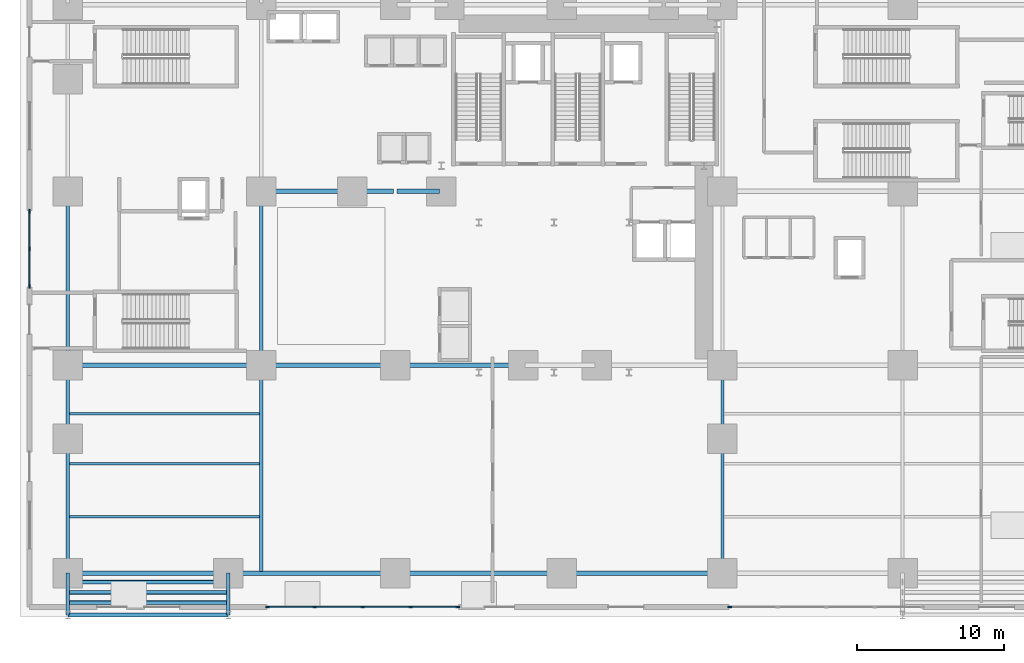
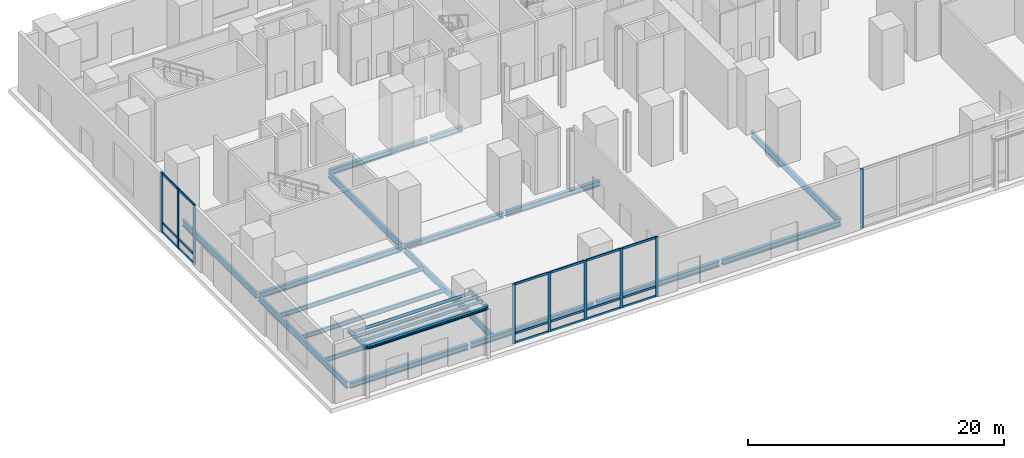
# One storey, part 5 of 25: 30 members, 20 beams, 3 elements without a shape of their own.
"""IFC4 building model written with IfcOpenShell, lengths in metres."""

from ifc_helpers import new_model, si_unit, direction, frame, origin, origin_2d, place, context, subcontext, project, spatial, rectangle, hollow_circle, i_section, extrude, source, transform, mapped, material, material_profile, profile_set, type_object, element, aggregate, save


model = new_model("IFC4")

# Units and contexts
model_context = context("Model", 3, precision=1e-05, world=origin(), true_north=direction((0.0, 1.0)))
body_context = subcontext(model_context, "Body", "Model", "MODEL_VIEW")
ifc_project = project(units=[si_unit("LENGTHUNIT", "METRE"), si_unit("AREAUNIT", "SQUARE_METRE"), si_unit("VOLUMEUNIT", "CUBIC_METRE"), si_unit("PLANEANGLEUNIT", "RADIAN"), si_unit("MASSUNIT", "GRAM", prefix="KILO")], contexts=[model_context])

# Site, building, storey
site_placement = place(None, origin())
site = spatial("IfcSite", under=ifc_project, at=site_placement, CompositionType="ELEMENT")
building_placement = place(site_placement, origin())
building = spatial("IfcBuilding", under=site, at=building_placement, Name="Vardaveli Station Tower", CompositionType="ELEMENT")
storey_placement = place(building_placement, origin())
storey = spatial("IfcBuildingStorey", under=building, at=storey_placement, Name="L01", CompositionType="ELEMENT", Elevation=0.0)

# Beams
ifc_material_1 = material(Name="Structural steel S355J2", Category="steel")
ifc_material_profile_1 = material_profile(ifc_material_1, i_section(OverallWidth=0.305908203125, OverallDepth=0.52392578125, WebThickness=0.02099609375, FlangeThickness=0.0400390625, FilletRadius=0.027099609375, at=origin_2d()), Name="HEM 500")
ifc_profile_set_1 = profile_set([ifc_material_profile_1], Name="Structural steel S355J2")
beam_type_1 = type_object("IfcBeamType", Name="BM-HEM500", PredefinedType="BEAM", material=ifc_profile_set_1)
shared_shape_1 = source(origin(), body_context, "Body", "SweptSolid", [
    extrude(i_section(OverallWidth=0.305908203125, OverallDepth=0.52392578125, WebThickness=0.02099609375, FlangeThickness=0.0400390625, FilletRadius=0.027099609375, at=origin_2d()), origin(), (0.0, 0.0, 1.0), 10.669921875),
])
for number, where, z_axis, x_axis, name in (
    (1, (3.3701171875, 2.949951171875, -0.662109375), (1.0, 0.0, 0.0), (0.0, 1.0, 0.0), "PBM-L01-EW0-0"),
    (2, (36.9599609375, 2.949951171875, -0.662109375), (1.0, 0.0, 0.0), (0.0, 1.0, 0.0), "PBM-L01-EW0-3"),
):
    element("IfcBeam", number, at=place(storey_placement, frame(where, z_axis=z_axis, x_axis=x_axis)), inside=storey, type_object=beam_type_1, Name=name, PredefinedType="BEAM", context=body_context, shape_type="MappedRepresentation", body=[
        mapped(shared_shape_1, transform((0.0, 0.0, 0.0), scale=1.0)),
    ])
shared_shape_2 = source(origin(), body_context, "Body", "SweptSolid", [
    extrude(i_section(OverallWidth=0.305908203125, OverallDepth=0.52392578125, WebThickness=0.02099609375, FlangeThickness=0.0400390625, FilletRadius=0.027099609375, at=origin_2d()), origin(), (0.0, 0.0, 1.0), 11.099853515625),
])
for number, where, z_axis, x_axis, name in (
    (3, (14.280029296875, 2.949951171875, -0.662109375), (1.0, 0.0, 0.0), (0.0, 1.0, 0.0), "PBM-L01-EW0-1"),
    (4, (25.6201171875, 2.949951171875, -0.662109375), (1.0, 0.0, 0.0), (0.0, 1.0, 0.0), "PBM-L01-EW0-2"),
):
    element("IfcBeam", number, at=place(storey_placement, frame(where, z_axis=z_axis, x_axis=x_axis)), inside=storey, type_object=beam_type_1, Name=name, PredefinedType="BEAM", context=body_context, shape_type="MappedRepresentation", body=[
        mapped(shared_shape_2, transform((0.0, 0.0, 0.0), scale=1.0)),
    ])
shared_shape_3 = source(origin(), body_context, "Body", "SweptSolid", [
    extrude(i_section(OverallWidth=0.305908203125, OverallDepth=0.52392578125, WebThickness=0.02099609375, FlangeThickness=0.0400390625, FilletRadius=0.027099609375, at=origin_2d()), origin(), (0.0, 0.0, 1.0), 12.909912109375),
])
beam_1_placement = place(storey_placement, frame((3.3701171875, 17.10009765625, -0.662109375), z_axis=(1.0, 0.0, 0.0), x_axis=(0.0, 1.0, 0.0)))
element("IfcBeam", 5, at=beam_1_placement, inside=storey, type_object=beam_type_1, Name="PBM-L01-EW1-0", PredefinedType="BEAM", context=body_context, shape_type="MappedRepresentation", body=[
    mapped(shared_shape_3, transform((0.0, 0.0, 0.0), scale=1.0)),
])
shared_shape_4 = source(origin(), body_context, "Body", "SweptSolid", [
    extrude(i_section(OverallWidth=0.305908203125, OverallDepth=0.52392578125, WebThickness=0.02099609375, FlangeThickness=0.0400390625, FilletRadius=0.027099609375, at=origin_2d()), origin(), (0.0, 0.0, 1.0), 8.85986328125),
])
for number, where, z_axis, x_axis, name in (
    (6, (16.52001953125, 17.10009765625, -0.662109375), (1.0, 0.0, 0.0), (0.0, 1.0, 0.0), "PBM-L01-EW1-1"),
    (7, (16.52001953125, 28.89990234375, -0.662109375), (1.0, 0.0, 0.0), (0.0, 1.0, 0.0), "PBM-L01-EW2-1"),
):
    element("IfcBeam", number, at=place(storey_placement, frame(where, z_axis=z_axis, x_axis=x_axis)), inside=storey, type_object=beam_type_1, Name=name, PredefinedType="BEAM", context=body_context, shape_type="MappedRepresentation", body=[
        mapped(shared_shape_4, transform((0.0, 0.0, 0.0), scale=1.0)),
    ])
shared_shape_5 = source(origin(), body_context, "Body", "SweptSolid", [
    extrude(i_section(OverallWidth=0.305908203125, OverallDepth=0.52392578125, WebThickness=0.02099609375, FlangeThickness=0.0400390625, FilletRadius=0.027099609375, at=origin_2d()), origin(), (0.0, 0.0, 1.0), 8.4599609375),
])
beam_2_placement = place(storey_placement, frame((25.6201171875, 17.10009765625, -0.662109375), z_axis=(1.0, 0.0, 0.0), x_axis=(0.0, 1.0, 0.0)))
element("IfcBeam", 8, at=beam_2_placement, inside=storey, type_object=beam_type_1, Name="PBM-L01-EW1-2", PredefinedType="BEAM", context=body_context, shape_type="MappedRepresentation", body=[
    mapped(shared_shape_5, transform((0.0, 0.0, 0.0), scale=1.0)),
])
shared_shape_6 = source(origin(), body_context, "Body", "SweptSolid", [
    extrude(i_section(OverallWidth=0.305908203125, OverallDepth=0.52392578125, WebThickness=0.02099609375, FlangeThickness=0.0400390625, FilletRadius=0.027099609375, at=origin_2d()), origin(), (0.0, 0.0, 1.0), 2.909912109375),
])
beam_3_placement = place(storey_placement, frame((25.6201171875, 28.89990234375, -0.662109375), z_axis=(1.0, 0.0, 0.0), x_axis=(0.0, 1.0, 0.0)))
element("IfcBeam", 9, at=beam_3_placement, inside=storey, type_object=beam_type_1, Name="PBM-L01-EW2-2", PredefinedType="BEAM", context=body_context, shape_type="MappedRepresentation", body=[
    mapped(shared_shape_6, transform((0.0, 0.0, 0.0), scale=1.0)),
])
ifc_material_profile_2 = material_profile(ifc_material_1, i_section(OverallWidth=0.219970703125, OverallDepth=0.60009765625, WebThickness=0.011962890625, FlangeThickness=0.01904296875, FilletRadius=0.02392578125, at=origin_2d()), Name="IPE 600")
ifc_profile_set_2 = profile_set([ifc_material_profile_2], Name="Structural steel S355J2")
beam_type_2 = type_object("IfcBeamType", Name="BM-IPE600", PredefinedType="BEAM", material=ifc_profile_set_2)
shared_shape_7 = source(origin(), body_context, "Body", "SweptSolid", [
    extrude(i_section(OverallWidth=0.219970703125, OverallDepth=0.60009765625, WebThickness=0.011962890625, FlangeThickness=0.01904296875, FilletRadius=0.02392578125, at=origin_2d()), origin(), (0.0, 0.0, 1.0), 13.909912109375),
])
for number, where, z_axis, x_axis, name in (
    (10, (3.25, 3.070068359375, -0.699951171875), (0.0, 1.0, 0.0), (-1.0, 0.0, 0.0), "PBM-L01-NS0-0"),
    (11, (16.39990234375, 3.070068359375, -0.699951171875), (0.0, 1.0, 0.0), (-1.0, 0.0, 0.0), "PBM-L01-NS1-0"),
    (12, (47.75, 3.070068359375, -0.699951171875), (0.0, 1.0, 0.0), (-1.0, 0.0, 0.0), "PBM-L01-NS2-0"),
):
    element("IfcBeam", number, at=place(storey_placement, frame(where, z_axis=z_axis, x_axis=x_axis)), inside=storey, type_object=beam_type_2, Name=name, PredefinedType="BEAM", context=body_context, shape_type="MappedRepresentation", body=[
        mapped(shared_shape_7, transform((0.0, 0.0, 0.0), scale=1.0)),
    ])
shared_shape_8 = source(origin(), body_context, "Body", "SweptSolid", [
    extrude(i_section(OverallWidth=0.219970703125, OverallDepth=0.60009765625, WebThickness=0.011962890625, FlangeThickness=0.01904296875, FilletRadius=0.02392578125, at=origin_2d()), origin(), (0.0, 0.0, 1.0), 11.56005859375),
])
for number, where, z_axis, x_axis, name in (
    (13, (3.25, 17.219970703125, -0.699951171875), (0.0, 1.0, 0.0), (-1.0, 0.0, 0.0), "PBM-L01-NS0-1"),
    (14, (16.39990234375, 17.219970703125, -0.699951171875), (0.0, 1.0, 0.0), (-1.0, 0.0, 0.0), "PBM-L01-NS1-1"),
):
    element("IfcBeam", number, at=place(storey_placement, frame(where, z_axis=z_axis, x_axis=x_axis)), inside=storey, type_object=beam_type_2, Name=name, PredefinedType="BEAM", context=body_context, shape_type="MappedRepresentation", body=[
        mapped(shared_shape_8, transform((0.0, 0.0, 0.0), scale=1.0)),
    ])
ifc_material_profile_3 = material_profile(ifc_material_1, i_section(OverallWidth=0.179931640625, OverallDepth=0.39990234375, WebThickness=0.008544921875, FlangeThickness=0.013427734375, FilletRadius=0.02099609375, at=origin_2d()), Name="IPE 400")
ifc_profile_set_3 = profile_set([ifc_material_profile_3], Name="Structural steel S355J2")
beam_type_3 = type_object("IfcBeamType", Name="BM-IPE400", PredefinedType="JOIST", material=ifc_profile_set_3)
shared_shape_9 = source(origin(), body_context, "Body", "SweptSolid", [
    extrude(i_section(OverallWidth=0.179931640625, OverallDepth=0.39990234375, WebThickness=0.008544921875, FlangeThickness=0.013427734375, FilletRadius=0.02099609375, at=origin_2d()), origin(), (0.0, 0.0, 1.0), 12.926025390625),
])
for number, where, z_axis, x_axis, name in (
    (15, (3.362060546875, 6.800048828125, -0.60009765625), (1.0, 0.0, 0.0), (0.0, 1.0, 0.0), "PJ-L01-1-0"),
    (16, (3.362060546875, 10.39990234375, -0.60009765625), (1.0, 0.0, 0.0), (0.0, 1.0, 0.0), "PJ-L01-2-0"),
    (17, (3.362060546875, 13.800048828125, -0.60009765625), (1.0, 0.0, 0.0), (0.0, 1.0, 0.0), "PJ-L01-3-0"),
):
    element("IfcBeam", number, at=place(storey_placement, frame(where, z_axis=z_axis, x_axis=x_axis)), inside=storey, type_object=beam_type_3, Name=name, PredefinedType="JOIST", context=body_context, shape_type="MappedRepresentation", body=[
        mapped(shared_shape_9, transform((0.0, 0.0, 0.0), scale=1.0)),
    ])

# Curtain wall, members
ifc_material_2 = material(Name="Travertine stone and solar-control glass", Category="masonry")
curtain_wall_type = type_object("IfcCurtainWallType", Name="CW-SYS-1", PredefinedType="NOTDEFINED", material=ifc_material_2)
curtain_wall_1_placement = place(storey_placement, origin())
curtain_wall_1 = element("IfcCurtainWall", 18, at=curtain_wall_1_placement, inside=storey, type_object=curtain_wall_type, Name="CW-L01-S2", PredefinedType="NOTDEFINED")
ifc_material_3 = material(Name="Anodised aluminium alloy 6063-T6", Category="aluminium")
ifc_material_profile_4 = material_profile(ifc_material_3, rectangle(XDim=0.094970703125, YDim=0.27001953125, at=origin_2d()), Name="CWM 95x270")
ifc_profile_set_4 = profile_set([ifc_material_profile_4], Name="Anodised aluminium alloy 6063-T6")
member_type_1 = type_object("IfcMemberType", Name="CW-SYS-1-MULL", PredefinedType="MULLION", material=ifc_profile_set_4)
shared_shape_10 = source(origin(), body_context, "Body", "SweptSolid", [
    extrude(rectangle(XDim=0.094970703125, YDim=0.27001953125, at=origin_2d()), origin(), (0.0, 0.0, 1.0), 5.679931640625),
])
member_1_placement = place(storey_placement, frame((16.847412109375, 0.64990234375, 0.0), z_axis=(0.0, 0.0, 1.0), x_axis=(0.0, 1.0, 0.0)))
member_1 = element("IfcMember", 19, at=member_1_placement, type_object=member_type_1, Name="CW-1 mullion 1", PredefinedType="MULLION", context=body_context, shape_type="MappedRepresentation", body=[
    mapped(shared_shape_10, transform((0.0, 0.0, 0.0), scale=1.0)),
])
member_2_placement = place(storey_placement, frame((20.050048828125, 0.64990234375, 0.0), z_axis=(0.0, 0.0, 1.0), x_axis=(0.0, 1.0, 0.0)))
member_2 = element("IfcMember", 20, at=member_2_placement, type_object=member_type_1, Name="CW-1 mullion 2", PredefinedType="MULLION", context=body_context, shape_type="MappedRepresentation", body=[
    mapped(shared_shape_10, transform((0.0, 0.0, 0.0), scale=1.0)),
])
member_3_placement = place(storey_placement, frame((23.300048828125, 0.64990234375, 0.0), z_axis=(0.0, 0.0, 1.0), x_axis=(0.0, 1.0, 0.0)))
member_3 = element("IfcMember", 21, at=member_3_placement, type_object=member_type_1, Name="CW-1 mullion 3", PredefinedType="MULLION", context=body_context, shape_type="MappedRepresentation", body=[
    mapped(shared_shape_10, transform((0.0, 0.0, 0.0), scale=1.0)),
])
member_4_placement = place(storey_placement, frame((26.550048828125, 0.64990234375, 0.0), z_axis=(0.0, 0.0, 1.0), x_axis=(0.0, 1.0, 0.0)))
member_4 = element("IfcMember", 22, at=member_4_placement, type_object=member_type_1, Name="CW-1 mullion 4", PredefinedType="MULLION", context=body_context, shape_type="MappedRepresentation", body=[
    mapped(shared_shape_10, transform((0.0, 0.0, 0.0), scale=1.0)),
])
member_5_placement = place(storey_placement, frame((29.75244140625, 0.64990234375, 0.0), z_axis=(0.0, 0.0, 1.0), x_axis=(0.0, 1.0, 0.0)))
member_5 = element("IfcMember", 23, at=member_5_placement, type_object=member_type_1, Name="CW-1 mullion 5", PredefinedType="MULLION", context=body_context, shape_type="MappedRepresentation", body=[
    mapped(shared_shape_10, transform((0.0, 0.0, 0.0), scale=1.0)),
])

# Curtain wall, member
curtain_wall_2_placement = place(storey_placement, origin())
curtain_wall_2 = element("IfcCurtainWall", 24, at=curtain_wall_2_placement, inside=storey, type_object=curtain_wall_type, Name="CW-L01-S4", PredefinedType="NOTDEFINED")
member_6_placement = place(storey_placement, frame((48.24755859375, 0.64990234375, 0.0), z_axis=(0.0, 0.0, 1.0), x_axis=(0.0, 1.0, 0.0)))
member_6 = element("IfcMember", 25, at=member_6_placement, type_object=member_type_1, Name="CW-1 mullion 1", PredefinedType="MULLION", context=body_context, shape_type="MappedRepresentation", body=[
    mapped(shared_shape_10, transform((0.0, 0.0, 0.0), scale=1.0)),
])
aggregate(curtain_wall_2, [member_6])

# Curtain wall, members
curtain_wall_3_placement = place(storey_placement, origin())
curtain_wall_3 = element("IfcCurtainWall", 26, at=curtain_wall_3_placement, inside=storey, type_object=curtain_wall_type, Name="CW-L01-W3", PredefinedType="NOTDEFINED")
member_7_placement = place(storey_placement, frame((0.64990234375, 27.552490234375, 0.0), z_axis=(0.0, 0.0, 1.0), x_axis=(1.0, 0.0, 0.0)))
member_7 = element("IfcMember", 27, at=member_7_placement, type_object=member_type_1, Name="CW-1 mullion 1", PredefinedType="MULLION", context=body_context, shape_type="MappedRepresentation", body=[
    mapped(shared_shape_10, transform((0.0, 0.0, 0.0), scale=1.0)),
])
member_8_placement = place(storey_placement, frame((0.64990234375, 25.0, 0.0), z_axis=(0.0, 0.0, 1.0), x_axis=(1.0, 0.0, 0.0)))
member_8 = element("IfcMember", 28, at=member_8_placement, type_object=member_type_1, Name="CW-1 mullion 2", PredefinedType="MULLION", context=body_context, shape_type="MappedRepresentation", body=[
    mapped(shared_shape_10, transform((0.0, 0.0, 0.0), scale=1.0)),
])
member_9_placement = place(storey_placement, frame((0.64990234375, 22.447509765625, 0.0), z_axis=(0.0, 0.0, 1.0), x_axis=(1.0, 0.0, 0.0)))
member_9 = element("IfcMember", 29, at=member_9_placement, type_object=member_type_1, Name="CW-1 mullion 3", PredefinedType="MULLION", context=body_context, shape_type="MappedRepresentation", body=[
    mapped(shared_shape_10, transform((0.0, 0.0, 0.0), scale=1.0)),
])

# Member
ifc_material_profile_5 = material_profile(ifc_material_3, rectangle(XDim=0.094970703125, YDim=0.2099609375, at=origin_2d()), Name="CWT 95x210")
ifc_profile_set_5 = profile_set([ifc_material_profile_5], Name="Anodised aluminium alloy 6063-T6")
member_type_2 = type_object("IfcMemberType", Name="CW-SYS-1-TRAN", PredefinedType="NOTDEFINED", material=ifc_profile_set_5)
shared_shape_11 = source(origin(), body_context, "Body", "SweptSolid", [
    extrude(rectangle(XDim=0.094970703125, YDim=0.2099609375, at=origin_2d()), origin(), (0.0, 0.0, 1.0), 3.107421875),
])
member_10_placement = place(storey_placement, frame((16.89501953125, 0.64990234375, 0.047607421875), z_axis=(1.0, 0.0, 0.0), x_axis=(0.0, 1.0, 0.0)))
member_10 = element("IfcMember", 30, at=member_10_placement, type_object=member_type_2, Name="CW-1 transom 1.1", ObjectType="TRANSOM", PredefinedType="USERDEFINED", context=body_context, shape_type="MappedRepresentation", body=[
    mapped(shared_shape_11, transform((0.0, 0.0, 0.0), scale=1.0)),
])

member_11_placement = place(storey_placement, frame((16.89501953125, 0.64990234375, 0.949951171875), z_axis=(1.0, 0.0, 0.0), x_axis=(0.0, 1.0, 0.0)))
member_11 = element("IfcMember", 31, at=member_11_placement, type_object=member_type_2, Name="CW-1 transom 1.2", ObjectType="TRANSOM", PredefinedType="USERDEFINED", context=body_context, shape_type="MappedRepresentation", body=[
    mapped(shared_shape_11, transform((0.0, 0.0, 0.0), scale=1.0)),
])

member_12_placement = place(storey_placement, frame((16.89501953125, 0.64990234375, 5.632568359375), z_axis=(1.0, 0.0, 0.0), x_axis=(0.0, 1.0, 0.0)))
member_12 = element("IfcMember", 32, at=member_12_placement, type_object=member_type_2, Name="CW-1 transom 1.3", ObjectType="TRANSOM", PredefinedType="USERDEFINED", context=body_context, shape_type="MappedRepresentation", body=[
    mapped(shared_shape_11, transform((0.0, 0.0, 0.0), scale=1.0)),
])

shared_shape_12 = source(origin(), body_context, "Body", "SweptSolid", [
    extrude(rectangle(XDim=0.094970703125, YDim=0.2099609375, at=origin_2d()), origin(), (0.0, 0.0, 1.0), 3.155029296875),
])
member_13_placement = place(storey_placement, frame((20.097412109375, 0.64990234375, 0.047607421875), z_axis=(1.0, 0.0, 0.0), x_axis=(0.0, 1.0, 0.0)))
member_13 = element("IfcMember", 33, at=member_13_placement, type_object=member_type_2, Name="CW-1 transom 2.1", ObjectType="TRANSOM", PredefinedType="USERDEFINED", context=body_context, shape_type="MappedRepresentation", body=[
    mapped(shared_shape_12, transform((0.0, 0.0, 0.0), scale=1.0)),
])

member_14_placement = place(storey_placement, frame((20.097412109375, 0.64990234375, 0.949951171875), z_axis=(1.0, 0.0, 0.0), x_axis=(0.0, 1.0, 0.0)))
member_14 = element("IfcMember", 34, at=member_14_placement, type_object=member_type_2, Name="CW-1 transom 2.2", ObjectType="TRANSOM", PredefinedType="USERDEFINED", context=body_context, shape_type="MappedRepresentation", body=[
    mapped(shared_shape_12, transform((0.0, 0.0, 0.0), scale=1.0)),
])

member_15_placement = place(storey_placement, frame((20.097412109375, 0.64990234375, 5.632568359375), z_axis=(1.0, 0.0, 0.0), x_axis=(0.0, 1.0, 0.0)))
member_15 = element("IfcMember", 35, at=member_15_placement, type_object=member_type_2, Name="CW-1 transom 2.3", ObjectType="TRANSOM", PredefinedType="USERDEFINED", context=body_context, shape_type="MappedRepresentation", body=[
    mapped(shared_shape_12, transform((0.0, 0.0, 0.0), scale=1.0)),
])

member_16_placement = place(storey_placement, frame((23.347412109375, 0.64990234375, 0.047607421875), z_axis=(1.0, 0.0, 0.0), x_axis=(0.0, 1.0, 0.0)))
member_16 = element("IfcMember", 36, at=member_16_placement, type_object=member_type_2, Name="CW-1 transom 3.1", ObjectType="TRANSOM", PredefinedType="USERDEFINED", context=body_context, shape_type="MappedRepresentation", body=[
    mapped(shared_shape_12, transform((0.0, 0.0, 0.0), scale=1.0)),
])

member_17_placement = place(storey_placement, frame((23.347412109375, 0.64990234375, 0.949951171875), z_axis=(1.0, 0.0, 0.0), x_axis=(0.0, 1.0, 0.0)))
member_17 = element("IfcMember", 37, at=member_17_placement, type_object=member_type_2, Name="CW-1 transom 3.2", ObjectType="TRANSOM", PredefinedType="USERDEFINED", context=body_context, shape_type="MappedRepresentation", body=[
    mapped(shared_shape_12, transform((0.0, 0.0, 0.0), scale=1.0)),
])

member_18_placement = place(storey_placement, frame((23.347412109375, 0.64990234375, 5.632568359375), z_axis=(1.0, 0.0, 0.0), x_axis=(0.0, 1.0, 0.0)))
member_18 = element("IfcMember", 38, at=member_18_placement, type_object=member_type_2, Name="CW-1 transom 3.3", ObjectType="TRANSOM", PredefinedType="USERDEFINED", context=body_context, shape_type="MappedRepresentation", body=[
    mapped(shared_shape_12, transform((0.0, 0.0, 0.0), scale=1.0)),
])

shared_shape_13 = source(origin(), body_context, "Body", "SweptSolid", [
    extrude(rectangle(XDim=0.094970703125, YDim=0.2099609375, at=origin_2d()), origin(), (0.0, 0.0, 1.0), 3.107666015625),
])
member_19_placement = place(storey_placement, frame((26.597412109375, 0.64990234375, 0.047607421875), z_axis=(1.0, 0.0, 0.0), x_axis=(0.0, 1.0, 0.0)))
member_19 = element("IfcMember", 39, at=member_19_placement, type_object=member_type_2, Name="CW-1 transom 4.1", ObjectType="TRANSOM", PredefinedType="USERDEFINED", context=body_context, shape_type="MappedRepresentation", body=[
    mapped(shared_shape_13, transform((0.0, 0.0, 0.0), scale=1.0)),
])

member_20_placement = place(storey_placement, frame((26.597412109375, 0.64990234375, 0.949951171875), z_axis=(1.0, 0.0, 0.0), x_axis=(0.0, 1.0, 0.0)))
member_20 = element("IfcMember", 40, at=member_20_placement, type_object=member_type_2, Name="CW-1 transom 4.2", ObjectType="TRANSOM", PredefinedType="USERDEFINED", context=body_context, shape_type="MappedRepresentation", body=[
    mapped(shared_shape_13, transform((0.0, 0.0, 0.0), scale=1.0)),
])

member_21_placement = place(storey_placement, frame((26.597412109375, 0.64990234375, 5.632568359375), z_axis=(1.0, 0.0, 0.0), x_axis=(0.0, 1.0, 0.0)))
member_21 = element("IfcMember", 41, at=member_21_placement, type_object=member_type_2, Name="CW-1 transom 4.3", ObjectType="TRANSOM", PredefinedType="USERDEFINED", context=body_context, shape_type="MappedRepresentation", body=[
    mapped(shared_shape_13, transform((0.0, 0.0, 0.0), scale=1.0)),
])

aggregate(curtain_wall_1, [member_1, member_2, member_3, member_4, member_5, member_10, member_11, member_12, member_13, member_14, member_15, member_16, member_17, member_18, member_19, member_20, member_21])

shared_shape_14 = source(origin(), body_context, "Body", "SweptSolid", [
    extrude(rectangle(XDim=0.094970703125, YDim=0.2099609375, at=origin_2d()), origin(), (0.0, 0.0, 1.0), 2.457275390625),
])
member_22_placement = place(storey_placement, frame((0.64990234375, 27.5048828125, 0.047607421875), z_axis=(0.0, -1.0, 0.0), x_axis=(1.0, 0.0, 0.0)))
member_22 = element("IfcMember", 42, at=member_22_placement, type_object=member_type_2, Name="CW-1 transom 1.1", ObjectType="TRANSOM", PredefinedType="USERDEFINED", context=body_context, shape_type="MappedRepresentation", body=[
    mapped(shared_shape_14, transform((0.0, 0.0, 0.0), scale=1.0)),
])

member_23_placement = place(storey_placement, frame((0.64990234375, 27.5048828125, 0.949951171875), z_axis=(0.0, -1.0, 0.0), x_axis=(1.0, 0.0, 0.0)))
member_23 = element("IfcMember", 43, at=member_23_placement, type_object=member_type_2, Name="CW-1 transom 1.2", ObjectType="TRANSOM", PredefinedType="USERDEFINED", context=body_context, shape_type="MappedRepresentation", body=[
    mapped(shared_shape_14, transform((0.0, 0.0, 0.0), scale=1.0)),
])

member_24_placement = place(storey_placement, frame((0.64990234375, 27.5048828125, 5.632568359375), z_axis=(0.0, -1.0, 0.0), x_axis=(1.0, 0.0, 0.0)))
member_24 = element("IfcMember", 44, at=member_24_placement, type_object=member_type_2, Name="CW-1 transom 1.3", ObjectType="TRANSOM", PredefinedType="USERDEFINED", context=body_context, shape_type="MappedRepresentation", body=[
    mapped(shared_shape_14, transform((0.0, 0.0, 0.0), scale=1.0)),
])

member_25_placement = place(storey_placement, frame((0.64990234375, 24.952392578125, 0.047607421875), z_axis=(0.0, -1.0, 0.0), x_axis=(1.0, 0.0, 0.0)))
member_25 = element("IfcMember", 45, at=member_25_placement, type_object=member_type_2, Name="CW-1 transom 2.1", ObjectType="TRANSOM", PredefinedType="USERDEFINED", context=body_context, shape_type="MappedRepresentation", body=[
    mapped(shared_shape_14, transform((0.0, 0.0, 0.0), scale=1.0)),
])

member_26_placement = place(storey_placement, frame((0.64990234375, 24.952392578125, 0.949951171875), z_axis=(0.0, -1.0, 0.0), x_axis=(1.0, 0.0, 0.0)))
member_26 = element("IfcMember", 46, at=member_26_placement, type_object=member_type_2, Name="CW-1 transom 2.2", ObjectType="TRANSOM", PredefinedType="USERDEFINED", context=body_context, shape_type="MappedRepresentation", body=[
    mapped(shared_shape_14, transform((0.0, 0.0, 0.0), scale=1.0)),
])

member_27_placement = place(storey_placement, frame((0.64990234375, 24.952392578125, 5.632568359375), z_axis=(0.0, -1.0, 0.0), x_axis=(1.0, 0.0, 0.0)))
member_27 = element("IfcMember", 47, at=member_27_placement, type_object=member_type_2, Name="CW-1 transom 2.3", ObjectType="TRANSOM", PredefinedType="USERDEFINED", context=body_context, shape_type="MappedRepresentation", body=[
    mapped(shared_shape_14, transform((0.0, 0.0, 0.0), scale=1.0)),
])

aggregate(curtain_wall_3, [member_7, member_8, member_9, member_22, member_23, member_24, member_25, member_26, member_27])

# Beams
ifc_material_profile_6 = material_profile(ifc_material_1, i_section(OverallWidth=0.260009765625, OverallDepth=0.260009765625, WebThickness=0.010009765625, FlangeThickness=0.017578125, FilletRadius=0.02392578125, at=origin_2d()), Name="HEB 260")
ifc_profile_set_6 = profile_set([ifc_material_profile_6], Name="Structural steel S355J2")
beam_type_4 = type_object("IfcBeamType", Name="BM-HEB260", PredefinedType="BEAM", material=ifc_profile_set_6)
shared_shape_15 = source(origin(), body_context, "Body", "SweptSolid", [
    extrude(i_section(OverallWidth=0.260009765625, OverallDepth=0.260009765625, WebThickness=0.010009765625, FlangeThickness=0.017578125, FilletRadius=0.02392578125, at=origin_2d()), origin(), (0.0, 0.0, 1.0), 10.909912109375),
])
beam_4_placement = place(storey_placement, frame((3.25, 0.1201171875, 4.64990234375), z_axis=(1.0, 0.0, 0.0), x_axis=(0.0, 1.0, 0.0)))
element("IfcBeam", 48, at=beam_4_placement, inside=storey, type_object=beam_type_4, Name="CNB-S1-F", PredefinedType="BEAM", context=body_context, shape_type="MappedRepresentation", body=[
    mapped(shared_shape_15, transform((0.0, 0.0, 0.0), scale=1.0)),
])
shared_shape_16 = source(origin(), body_context, "Body", "SweptSolid", [
    extrude(i_section(OverallWidth=0.260009765625, OverallDepth=0.260009765625, WebThickness=0.010009765625, FlangeThickness=0.017578125, FilletRadius=0.02392578125, at=origin_2d()), origin(), (0.0, 0.0, 1.0), 2.829833984375),
])
for number, where, z_axis, x_axis, name in (
    (49, (3.25, 2.949951171875, 4.64990234375), (0.0, -1.0, 0.0), (1.0, 0.0, 0.0), "CNB-S1-A1"),
    (50, (14.159912109375, 2.949951171875, 4.64990234375), (0.0, -1.0, 0.0), (1.0, 0.0, 0.0), "CNB-S1-A2"),
):
    element("IfcBeam", number, at=place(storey_placement, frame(where, z_axis=z_axis, x_axis=x_axis)), inside=storey, type_object=beam_type_4, Name=name, PredefinedType="BEAM", context=body_context, shape_type="MappedRepresentation", body=[
        mapped(shared_shape_16, transform((0.0, 0.0, 0.0), scale=1.0)),
    ])

# Members
ifc_material_profile_7 = material_profile(ifc_material_1, hollow_circle(Radius=0.136474609375, WallThickness=0.012451171875, at=origin_2d()), Name="CHS 273x12.5")
ifc_profile_set_7 = profile_set([ifc_material_profile_7], Name="Structural steel S355J2")
member_type_3 = type_object("IfcMemberType", Name="MEM-PR-CHS273", PredefinedType="PURLIN", material=ifc_profile_set_7)
shared_shape_17 = source(origin(), body_context, "Body", "SweptSolid", [
    extrude(hollow_circle(Radius=0.136474609375, WallThickness=0.012451171875, at=origin_2d()), origin(), (0.0, 0.0, 1.0), 10.909912109375),
])
for number, where, z_axis, x_axis, name in (
    (51, (3.25, 0.949951171875, 4.780029296875), (1.0, 0.0, 0.0), (0.0, 1.0, 0.0), "CNP-S1-1"),
    (52, (3.25, 1.64990234375, 4.780029296875), (1.0, 0.0, 0.0), (0.0, 1.0, 0.0), "CNP-S1-2"),
    (53, (3.25, 2.35009765625, 4.780029296875), (1.0, 0.0, 0.0), (0.0, 1.0, 0.0), "CNP-S1-3"),
):
    element("IfcMember", number, at=place(storey_placement, frame(where, z_axis=z_axis, x_axis=x_axis)), inside=storey, type_object=member_type_3, Name=name, PredefinedType="PURLIN", context=body_context, shape_type="MappedRepresentation", body=[
        mapped(shared_shape_17, transform((0.0, 0.0, 0.0), scale=1.0)),
    ])

save(model, "model.ifc")
